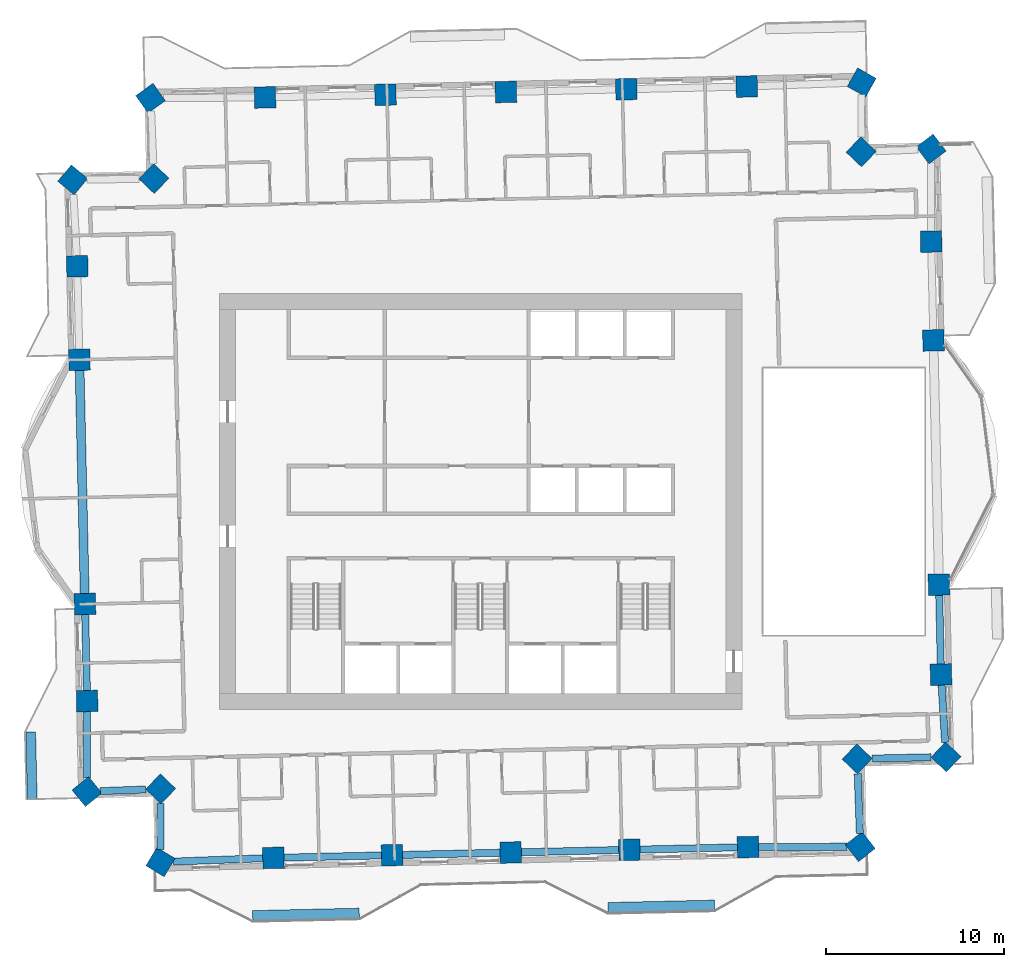
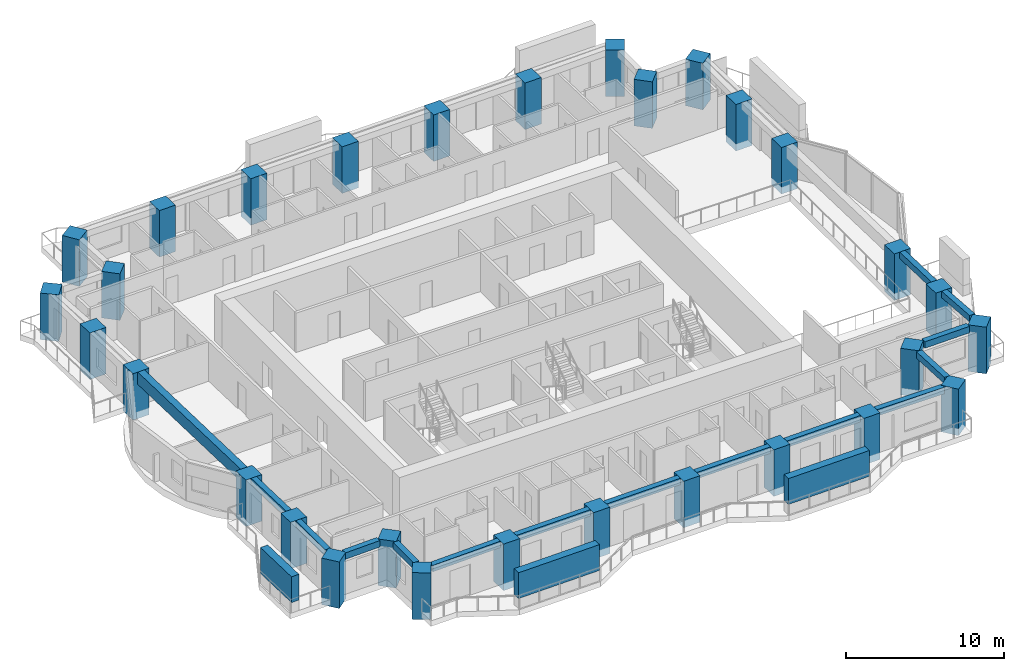
# One storey, part 1 of 16: 30 columns, 15 beams, 3 members.
"""IFC4 building model written with IfcOpenShell, lengths in metres."""

from ifc_helpers import new_model, si_unit, direction, frame, origin, origin_2d, place, context, subcontext, project, spatial, rectangle, extrude, material, material_profile, profile_set, type_object, element, save


model = new_model("IFC4")

# Units and contexts
model_context = context("Model", 3, precision=1e-05, world=origin(), true_north=direction((0.0, 1.0)))
body_context = subcontext(model_context, "Body", "Model", "MODEL_VIEW")
ifc_project = project(units=[si_unit("LENGTHUNIT", "METRE"), si_unit("AREAUNIT", "SQUARE_METRE"), si_unit("VOLUMEUNIT", "CUBIC_METRE"), si_unit("PLANEANGLEUNIT", "RADIAN"), si_unit("MASSUNIT", "GRAM", prefix="KILO")], contexts=[model_context])

# Site, building, storey
site_placement = place(None, origin())
site = spatial("IfcSite", under=ifc_project, at=site_placement, CompositionType="ELEMENT")
building_placement = place(site_placement, origin())
building = spatial("IfcBuilding", under=site, at=building_placement, Name="Mangrove Gate Tower", CompositionType="ELEMENT")
storey_placement = place(building_placement, frame((0.0, 0.0, 178.89990234375)))
storey = spatial("IfcBuildingStorey", under=building, at=storey_placement, Name="L45", CompositionType="ELEMENT", Elevation=178.89990234375)

# Columns
ifc_material_1 = material(Name="Concrete C60/75", Category="concrete")
ifc_material_profile_1 = material_profile(ifc_material_1, rectangle(XDim=1.199951171875, YDim=1.199951171875, at=origin_2d()))
ifc_profile_set_1 = profile_set([ifc_material_profile_1], Name="Concrete C60/75")
column_type = type_object("IfcColumnType", Name="Column RC 1200x1200 C60/75", PredefinedType="COLUMN", material=ifc_profile_set_1)
for number, where, z_axis, x_axis, name in (
    (1, (-22.278076171875, -5.769287109375, -0.5498046875), (0.0, 0.0, 1.0), (0.022693021881, -0.999742480221, 0.0), "Column L45 W05"),
    (2, (-22.154052734375, -11.2294921875, -0.5498046875), (0.0, 0.0, 1.0), (0.022702688514, -0.999742260752, 0.0), "Column L45 W06"),
    (3, (-22.162841796875, -16.32763671875, -0.5498046875), (0.0, 0.0, 1.0), (0.627363756843, -0.778726342562, 0.0), "Column L45 W07"),
    (4, (-18.016357421875, -16.17529296875, -0.5498046875), (0.0, 0.0, 1.0), (0.722919671176, -0.69093208713, 0.0), "Column L45 W08"),
    (5, (-18.0283203125, -20.29296875, -0.5498046875), (0.0, 0.0, 1.0), (0.858408426084, -0.512966835213, 0.0), "Column L45 S01"),
    (6, (-11.670654296875, -20.05712890625, -0.5498046875), (0.0, 0.0, 1.0), (0.99974280054, 0.022678905801, 0.0), "Column L45 S02"),
    (7, (-4.99267578125, -19.9052734375, -0.5498046875), (0.0, 0.0, 1.0), (0.999741061935, 0.022755418739, 0.0), "Column L45 S03"),
    (8, (1.685302734375, -19.753173828125, -0.5498046875), (0.0, 0.0, 1.0), (0.99974280054, 0.022678905801, 0.0), "Column L45 S04"),
    (9, (8.364501953125, -19.60205078125, -0.5498046875), (0.0, 0.0, 1.0), (0.99974280054, 0.022678905801, 0.0), "Column L45 S05"),
    (10, (15.04248046875, -19.4501953125, -0.5498046875), (0.0, 0.0, 1.0), (0.999742762144, 0.022680598335, 0.0), "Column L45 S06"),
    (11, (21.36376953125, -19.427001953125, -0.5498046875), (0.0, 0.0, 1.0), (0.786796358031, 0.617212678895, 0.0), "Column L45 S07"),
    (12, (21.187255859375, -14.485595703125, -0.5498046875), (0.0, 0.0, 1.0), (0.690872556232, 0.722976563275, 0.0), "Column L45 E01"),
    (13, (26.1826171875, -14.375244140625, -0.5498046875), (0.0, 0.0, 1.0), (0.686359333294, 0.727262583666, 0.0), "Column L45 E02"),
    (14, (25.904052734375, -9.739501953125, -0.5498046875), (0.0, 0.0, 1.0), (-0.022618201372, 0.99974417576, 0.0), "Column L45 E03"),
    (15, (25.7900390625, -4.678466796875, -0.5498046875), (0.0, 0.0, 1.0), (-0.022642926354, 0.999743616077, 0.0), "Column L45 E04"),
    (16, (25.478271484375, 9.0693359375, -0.5498046875), (0.0, 0.0, 1.0), (-0.022730815961, 0.999741621623, 0.0), "Column L45 E05"),
    (17, (25.35107421875, 14.62939453125, -0.5498046875), (0.0, 0.0, 1.0), (-0.022743867649, 0.999741324786, 0.0), "Column L45 E06"),
    (18, (25.345947265625, 19.8427734375, -0.5498046875), (0.0, 0.0, 1.0), (-0.60202964529, 0.798473735443, 0.0), "Column L45 E07"),
    (19, (21.411376953125, 19.68017578125, -0.5498046875), (0.0, 0.0, 1.0), (-0.722837628433, 0.691017917945, 0.0), "Column L45 E08"),
    (20, (21.44287109375, 23.58935546875, -0.5498046875), (0.0, 0.0, 1.0), (-0.87259482079, 0.488444755045, 0.0), "Column L45 N01"),
    (21, (14.970703125, 23.359130859375, -0.5498046875), (0.0, 0.0, 1.0), (-0.99974202573, -0.022713035648, 0.0), "Column L45 N02"),
    (22, (8.192626953125, 23.205078125, -0.5498046875), (0.0, 0.0, 1.0), (-0.999741987673, -0.022714710732, 0.0), "Column L45 N03"),
    (23, (1.41455078125, 23.05126953125, -0.5498046875), (0.0, 0.0, 1.0), (-0.999741987673, -0.022714710732, 0.0), "Column L45 N04"),
    (24, (-5.363525390625, 22.897216796875, -0.5498046875), (0.0, 0.0, 1.0), (-0.99974369748, -0.022639331897, 0.0), "Column L45 N05"),
    (25, (-12.142333984375, 22.744140625, -0.5498046875), (0.0, 0.0, 1.0), (-0.99974369748, -0.022639331897, 0.0), "Column L45 N06"),
    (26, (-18.5859375, 22.701171875, -0.5498046875), (0.0, 0.0, 1.0), (-0.814549066691, -0.580094662924, 0.0), "Column L45 N07"),
    (27, (-18.396240234375, 18.176513671875, -0.5498046875), (0.0, 0.0, 1.0), (-0.690859559249, -0.722988982899, 0.0), "Column L45 W01"),
    (28, (-22.967529296875, 18.1025390625, -0.5498046875), (0.0, 0.0, 1.0), (-0.640873753585, -0.767646293527, 0.0), "Column L45 W02"),
    (29, (-22.709228515625, 13.239501953125, -0.5498046875), (0.0, 0.0, 1.0), (0.022613490188, -0.999744282335, 0.0), "Column L45 W03"),
    (30, (-22.590087890625, 7.978515625, -0.5498046875), (0.0, 0.0, 1.0), (0.022667651322, -0.999743055782, 0.0), "Column L45 W04"),
):
    element("IfcColumn", number, at=place(storey_placement, frame(where, z_axis=z_axis, x_axis=x_axis)), inside=storey, type_object=column_type, Name=name, PredefinedType="COLUMN", context=body_context, shape_type="SweptSolid", body=[
        extrude(rectangle(XDim=1.199951171875, YDim=1.199951171875, at=origin_2d()), origin(), (0.0, 0.0, 1.0), 3.599853515625),
    ])

# Members
ifc_material_2 = material(Name="Planting on aluminium trellis", Category="aluminium")
ifc_material_profile_2 = material_profile(ifc_material_2, rectangle(XDim=0.550048828125, YDim=2.0, at=origin_2d()))
ifc_profile_set_2 = profile_set([ifc_material_profile_2], Name="Planting on aluminium trellis")
member_type = type_object("IfcMemberType", Name="Balcony greenery screen 550x2000", PredefinedType="USERDEFINED", material=ifc_profile_set_2)
member_1_placement = place(storey_placement, frame((-25.243896484375, -16.763916015625, 1.800048828125), z_axis=(-0.022680539557, 0.999742763477, 0.0), x_axis=(-0.999742763477, -0.022680539557, 0.0)))
element("IfcMember", 31, at=member_1_placement, inside=storey, type_object=member_type, Name="GREEN SCREEN L45 W1.1", ObjectType="PLANTING", PredefinedType="USERDEFINED", context=body_context, shape_type="SweptSolid", body=[
    extrude(rectangle(XDim=0.550048828125, YDim=2.0, at=origin_2d()), origin(), (0.0, 0.0, 1.0), 3.7998046875),
])
member_2_placement = place(storey_placement, frame((-12.8369140625, -23.299072265625, 1.800048828125), z_axis=(0.999743073592, 0.022666865795, 0.0), x_axis=(-0.022666865795, 0.999743073592, 0.0)))
element("IfcMember", 32, at=member_2_placement, inside=storey, type_object=member_type, Name="GREEN SCREEN L45 S0.1", ObjectType="PLANTING", PredefinedType="USERDEFINED", context=body_context, shape_type="SweptSolid", body=[
    extrude(rectangle(XDim=0.550048828125, YDim=2.0, at=origin_2d()), origin(), (0.0, 0.0, 1.0), 5.999267578125),
])
member_3_placement = place(storey_placement, frame((7.156982421875, -22.844970703125, 1.800048828125), z_axis=(0.999743178102, 0.022662255828, 0.0), x_axis=(-0.022662255828, 0.999743178102, 0.0)))
element("IfcMember", 33, at=member_3_placement, inside=storey, type_object=member_type, Name="GREEN SCREEN L45 S1.1", ObjectType="PLANTING", PredefinedType="USERDEFINED", context=body_context, shape_type="SweptSolid", body=[
    extrude(rectangle(XDim=0.550048828125, YDim=2.0, at=origin_2d()), origin(), (0.0, 0.0, 1.0), 6.00048828125),
])

# Beams
ifc_material_3 = material(Name="Concrete C50/60", Category="concrete")
ifc_material_profile_3 = material_profile(ifc_material_3, rectangle(XDim=0.39990234375, YDim=0.5, at=origin_2d()))
ifc_profile_set_3 = profile_set([ifc_material_profile_3], Name="Concrete C50/60")
beam_type_1 = type_object("IfcBeamType", Name="Edge beam RC 400x500 C50/60", PredefinedType="BEAM", material=ifc_profile_set_3)
beam_1_placement = place(storey_placement, frame((-22.2646484375, -6.369140625, 2.800048828125), z_axis=(0.022743528108, -0.99974133251, 0.0), x_axis=(0.99974133251, 0.022743528108, 0.0)))
element("IfcBeam", 34, at=beam_1_placement, inside=storey, type_object=beam_type_1, Name="Edge beam L45 00", PredefinedType="BEAM", context=body_context, shape_type="SweptSolid", body=[
    extrude(rectangle(XDim=0.39990234375, YDim=0.5, at=origin_2d()), origin(), (0.0, 0.0, 1.0), 4.26171875),
])
beam_2_placement = place(storey_placement, frame((-22.1552734375, -11.82958984375, 2.800048828125), z_axis=(-0.001637838474, -0.999998658742, 0.0), x_axis=(0.999998658742, -0.001637838474, 0.0)))
element("IfcBeam", 35, at=beam_2_placement, inside=storey, type_object=beam_type_1, Name="Edge beam L45 01", PredefinedType="BEAM", context=body_context, shape_type="SweptSolid", body=[
    extrude(rectangle(XDim=0.39990234375, YDim=0.5, at=origin_2d()), origin(), (0.0, 0.0, 1.0), 3.7265625),
])
beam_3_placement = place(storey_placement, frame((-21.414306640625, -16.300048828125, 2.800048828125), z_axis=(0.999327431399, 0.036669944824, 0.0), x_axis=(-0.036669944824, 0.999327431399, 0.0)))
element("IfcBeam", 36, at=beam_3_placement, inside=storey, type_object=beam_type_1, Name="Edge beam L45 02", PredefinedType="BEAM", context=body_context, shape_type="SweptSolid", body=[
    extrude(rectangle(XDim=0.39990234375, YDim=0.5, at=origin_2d()), origin(), (0.0, 0.0, 1.0), 2.563232421875),
])
beam_4_placement = place(storey_placement, frame((-18.018798828125, -17.0029296875, 2.800048828125), z_axis=(-0.002825379568, -0.999996008607, 0.0), x_axis=(0.999996008607, -0.002825379568, 0.0)))
element("IfcBeam", 37, at=beam_4_placement, inside=storey, type_object=beam_type_1, Name="Edge beam L45 03", PredefinedType="BEAM", context=body_context, shape_type="SweptSolid", body=[
    extrude(rectangle(XDim=0.39990234375, YDim=0.5, at=origin_2d()), origin(), (0.0, 0.0, 1.0), 2.59228515625),
])
beam_5_placement = place(storey_placement, frame((-17.3134765625, -20.266357421875, 2.800048828125), z_axis=(0.999313176036, 0.03705639216, 0.0), x_axis=(-0.03705639216, 0.999313176036, 0.0)))
element("IfcBeam", 38, at=beam_5_placement, inside=storey, type_object=beam_type_1, Name="Edge beam L45 04", PredefinedType="BEAM", context=body_context, shape_type="SweptSolid", body=[
    extrude(rectangle(XDim=0.39990234375, YDim=0.5, at=origin_2d()), origin(), (0.0, 0.0, 1.0), 5.046630859375),
])
for number, where, z_axis, x_axis, name in (
    (39, (-11.07080078125, -20.04345703125, 2.800048828125), (0.999740799445, 0.022766948104, 0.0), (-0.022766948104, 0.999740799445, 0.0), "Edge beam L45 05"),
    (40, (-4.392822265625, -19.8916015625, 2.800048828125), (0.999740799445, 0.022766948104, 0.0), (-0.022766948104, 0.999740799445, 0.0), "Edge beam L45 06"),
):
    element("IfcBeam", number, at=place(storey_placement, frame(where, z_axis=z_axis, x_axis=x_axis)), inside=storey, type_object=beam_type_1, Name=name, PredefinedType="BEAM", context=body_context, shape_type="SweptSolid", body=[
        extrude(rectangle(XDim=0.39990234375, YDim=0.5, at=origin_2d()), origin(), (0.0, 0.0, 1.0), 5.479736328125),
    ])
beam_6_placement = place(storey_placement, frame((2.28515625, -19.739501953125, 2.800048828125), z_axis=(0.999744953581, 0.022583794843, 0.0), x_axis=(-0.022583794843, 0.999744953581, 0.0)))
element("IfcBeam", 41, at=beam_6_placement, inside=storey, type_object=beam_type_1, Name="Edge beam L45 07", PredefinedType="BEAM", context=body_context, shape_type="SweptSolid", body=[
    extrude(rectangle(XDim=0.39990234375, YDim=0.5, at=origin_2d()), origin(), (0.0, 0.0, 1.0), 5.48095703125),
])
beam_7_placement = place(storey_placement, frame((8.96435546875, -19.588623046875, 2.800048828125), z_axis=(0.999740799445, 0.022766948104, 0.0), x_axis=(-0.022766948104, 0.999740799445, 0.0)))
element("IfcBeam", 42, at=beam_7_placement, inside=storey, type_object=beam_type_1, Name="Edge beam L45 08", PredefinedType="BEAM", context=body_context, shape_type="SweptSolid", body=[
    extrude(rectangle(XDim=0.39990234375, YDim=0.5, at=origin_2d()), origin(), (0.0, 0.0, 1.0), 5.479736328125),
])
beam_8_placement = place(storey_placement, frame((15.642578125, -19.447998046875, 2.800048828125), z_axis=(0.999993187862, 0.003691101387, 0.0), x_axis=(-0.003691101387, 0.999993187862, 0.0)))
element("IfcBeam", 43, at=beam_8_placement, inside=storey, type_object=beam_type_1, Name="Edge beam L45 09", PredefinedType="BEAM", context=body_context, shape_type="SweptSolid", body=[
    extrude(rectangle(XDim=0.39990234375, YDim=0.5, at=origin_2d()), origin(), (0.0, 0.0, 1.0), 4.960693359375),
])
beam_9_placement = place(storey_placement, frame((21.337158203125, -18.68505859375, 2.800048828125), z_axis=(-0.035701883706, 0.999362484537, 0.0), x_axis=(-0.999362484537, -0.035701883706, 0.0)))
element("IfcBeam", 44, at=beam_9_placement, inside=storey, type_object=beam_type_1, Name="Edge beam L45 10", PredefinedType="BEAM", context=body_context, shape_type="SweptSolid", body=[
    extrude(rectangle(XDim=0.39990234375, YDim=0.5, at=origin_2d()), origin(), (0.0, 0.0, 1.0), 3.364501953125),
])
beam_10_placement = place(storey_placement, frame((22.034912109375, -14.466796875, 2.800048828125), z_axis=(0.99975619393, 0.022080595508, 0.0), x_axis=(-0.022080595508, 0.99975619393, 0.0)))
element("IfcBeam", 45, at=beam_10_placement, inside=storey, type_object=beam_type_1, Name="Edge beam L45 11", PredefinedType="BEAM", context=body_context, shape_type="SweptSolid", body=[
    extrude(rectangle(XDim=0.39990234375, YDim=0.5, at=origin_2d()), origin(), (0.0, 0.0, 1.0), 3.305908203125),
])
beam_11_placement = place(storey_placement, frame((26.13330078125, -13.55322265625, 2.800048828125), z_axis=(-0.059970856871, 0.998200128394, 0.0), x_axis=(-0.998200128394, -0.059970856871, 0.0)))
element("IfcBeam", 46, at=beam_11_placement, inside=storey, type_object=beam_type_1, Name="Edge beam L45 12", PredefinedType="BEAM", context=body_context, shape_type="SweptSolid", body=[
    extrude(rectangle(XDim=0.39990234375, YDim=0.5, at=origin_2d()), origin(), (0.0, 0.0, 1.0), 3.22021484375),
])
beam_12_placement = place(storey_placement, frame((25.890625, -9.1396484375, 2.800048828125), z_axis=(-0.022503151924, 0.999746772015, 0.0), x_axis=(-0.999746772015, -0.022503151924, 0.0)))
element("IfcBeam", 47, at=beam_12_placement, inside=storey, type_object=beam_type_1, Name="Edge beam L45 13", PredefinedType="BEAM", context=body_context, shape_type="SweptSolid", body=[
    extrude(rectangle(XDim=0.39990234375, YDim=0.5, at=origin_2d()), origin(), (0.0, 0.0, 1.0), 3.8623046875),
])
ifc_material_4 = material(Name="Concrete C50/60", Category="concrete")
ifc_material_profile_4 = material_profile(ifc_material_4, rectangle(XDim=0.5, YDim=0.949951171875, at=origin_2d()))
ifc_profile_set_4 = profile_set([ifc_material_profile_4], Name="Concrete C50/60")
beam_type_2 = type_object("IfcBeamType", Name="Edge beam RC 500x950 C50/60", PredefinedType="BEAM", material=ifc_profile_set_4)
beam_13_placement = place(storey_placement, frame((-22.57666015625, 7.378662109375, 2.5751953125), z_axis=(0.022699754772, -0.999742327369, 0.0), x_axis=(0.999742327369, 0.022699754772, 0.0)))
element("IfcBeam", 48, at=beam_13_placement, inside=storey, type_object=beam_type_2, Name="Edge beam L45 29", PredefinedType="BEAM", context=body_context, shape_type="SweptSolid", body=[
    extrude(rectangle(XDim=0.5, YDim=0.949951171875, at=origin_2d()), origin(), (0.0, 0.0, 1.0), 12.55126953125),
])

save(model, "model.ifc")
